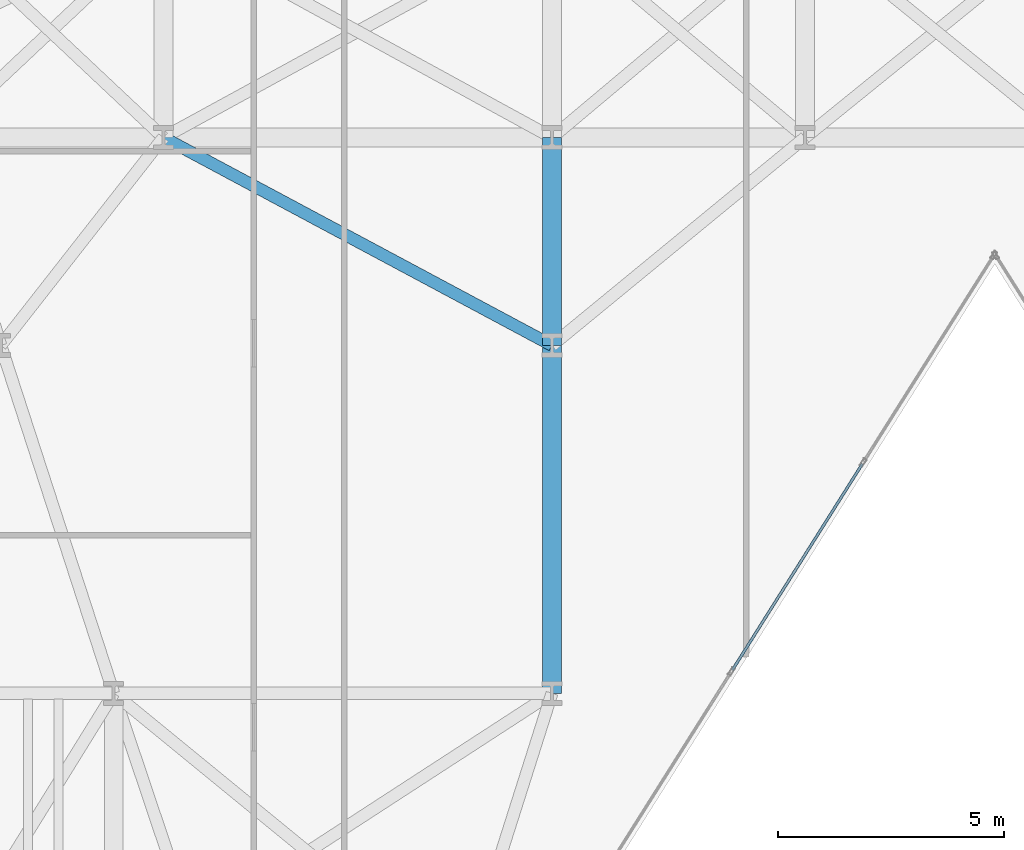
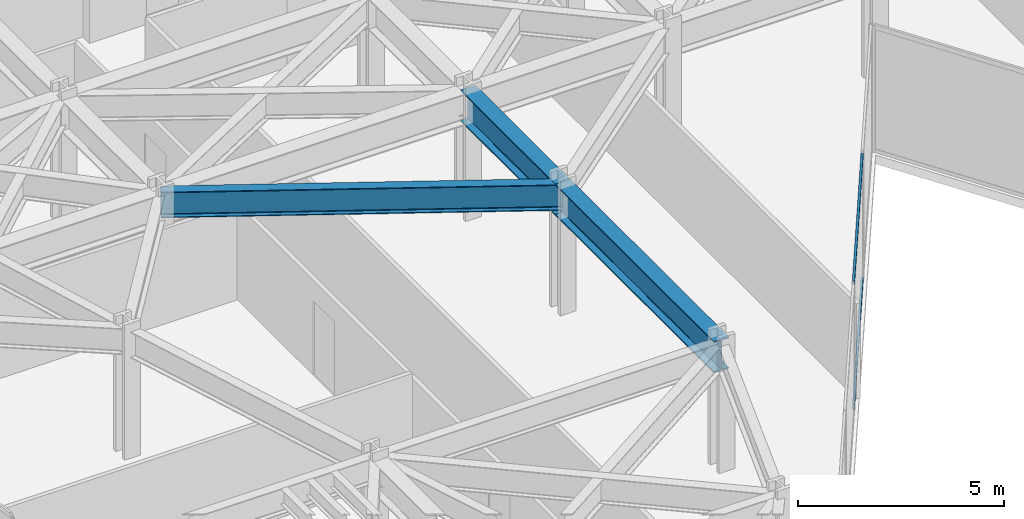
# One storey, part 9 of 25: 3 beams, 2 members, 1 element without a shape of its own.
"""IFC4 building model written with IfcOpenShell, lengths in metres."""

from ifc_helpers import new_model, si_unit, direction, frame, origin, origin_2d, place, context, subcontext, project, spatial, hollow_rectangle, i_section, extrude, material, layer, layer_set, material_profile, profile_set, type_object, element, aggregate, save


model = new_model("IFC4")

# Units and contexts
model_context = context("Model", 3, precision=1e-05, world=origin(), true_north=direction((0.0, 1.0)))
body_context = subcontext(model_context, "Body", "Model", "MODEL_VIEW")
ifc_project = project(units=[si_unit("LENGTHUNIT", "METRE"), si_unit("AREAUNIT", "SQUARE_METRE"), si_unit("VOLUMEUNIT", "CUBIC_METRE"), si_unit("PLANEANGLEUNIT", "RADIAN"), si_unit("MASSUNIT", "GRAM", prefix="KILO")], contexts=[model_context])

# Site, building, storey
site_placement = place(None, origin())
site = spatial("IfcSite", under=ifc_project, at=site_placement, CompositionType="ELEMENT")
building_placement = place(site_placement, origin())
building = spatial("IfcBuilding", under=site, at=building_placement, Name="Kravanh Interchange Tower", CompositionType="ELEMENT")
storey_placement = place(building_placement, frame((0.0, 0.0, 33.5)))
storey = spatial("IfcBuildingStorey", under=building, at=storey_placement, Name="L07", CompositionType="ELEMENT", Elevation=33.5)

# Curtain wall, members
ifc_material_1 = material(Name="Anodised Bronze Aluminium", Category="aluminium")
ifc_layer = layer(ifc_material_1, 0.179931640625)
ifc_layer_set = layer_set([ifc_layer], Name="Unitised Curtain Wall System CW-Z1 Lower Office")
curtain_wall_type = type_object("IfcCurtainWallType", Name="Unitised Curtain Wall System CW-Z1 Lower Office", PredefinedType="NOTDEFINED", material=ifc_layer_set)
curtain_wall_placement = place(storey_placement, origin())
curtain_wall = element("IfcCurtainWall", 1, at=curtain_wall_placement, inside=storey, type_object=curtain_wall_type, Name="L07 Unitised Curtain Wall CW-L07-05", PredefinedType="NOTDEFINED")
ifc_material_2 = material(Name="Anodised Bronze Aluminium", Category="aluminium")
ifc_material_profile_1 = material_profile(ifc_material_2, hollow_rectangle(XDim=0.06005859375, YDim=0.139892578125, WallThickness=0.00390625, at=origin_2d()), Name="ALU60X140X4")
ifc_profile_set_1 = profile_set([ifc_material_profile_1], Name="Anodised Bronze Aluminium")
member_type = type_object("IfcMemberType", Name="Curtain Wall Transom ALU60X140X4 Bronze", PredefinedType="USERDEFINED", material=ifc_profile_set_1)
member_1_placement = place(storey_placement, frame((34.068115234375, 19.574462890625, 0.030029296875), z_axis=(-0.533311487456, -0.84591894254, 0.0), x_axis=(0.84591894254, -0.533311487456, 0.0)))
member_1 = element("IfcMember", 2, at=member_1_placement, type_object=member_type, Name="CW-Z1 transom 2.1", ObjectType="TRANSOM", PredefinedType="USERDEFINED", context=body_context, shape_type="SweptSolid", body=[
    extrude(hollow_rectangle(XDim=0.06005859375, YDim=0.139892578125, WallThickness=0.00390625, at=origin_2d()), origin(), (0.0, 0.0, 1.0), 5.392578125),
])
member_2_placement = place(storey_placement, frame((34.068115234375, 19.574462890625, 3.7099609375), z_axis=(-0.533311487456, -0.84591894254, 0.0), x_axis=(0.84591894254, -0.533311487456, 0.0)))
member_2 = element("IfcMember", 3, at=member_2_placement, type_object=member_type, Name="CW-Z1 transom 2.2", ObjectType="TRANSOM", PredefinedType="USERDEFINED", context=body_context, shape_type="SweptSolid", body=[
    extrude(hollow_rectangle(XDim=0.06005859375, YDim=0.139892578125, WallThickness=0.00390625, at=origin_2d()), origin(), (0.0, 0.0, 1.0), 5.392578125),
])
aggregate(curtain_wall, [member_1, member_2])

# Beams
ifc_material_3 = material(Name="Structural Steel S355", Category="steel")
ifc_material_profile_2 = material_profile(ifc_material_3, i_section(OverallWidth=0.41796875, OverallDepth=0.927001953125, WebThickness=0.019287109375, FlangeThickness=0.031982421875, FilletRadius=0.028076171875, at=origin_2d()), Name="W36X231")
ifc_profile_set_2 = profile_set([ifc_material_profile_2], Name="Structural Steel S355")
beam_type_1 = type_object("IfcBeamType", Name="Floor Beam W36X231 Structural Steel S355", PredefinedType="BEAM", material=ifc_profile_set_2)
beam_1_placement = place(storey_placement, frame((27.199951171875, 22.199951171875, 3.276611328125), z_axis=(0.0, 1.0, 0.0), x_axis=(-1.0, 0.0, 0.0)))
element("IfcBeam", 4, at=beam_1_placement, inside=storey, type_object=beam_type_1, Name="L07 Primary Floor Girder 54", PredefinedType="BEAM", context=body_context, shape_type="SweptSolid", body=[
    extrude(i_section(OverallWidth=0.41796875, OverallDepth=0.927001953125, WebThickness=0.019287109375, FlangeThickness=0.031982421875, FilletRadius=0.028076171875, at=origin_2d()), origin(), (0.0, 0.0, 1.0), 4.60009765625),
])
beam_2_placement = place(storey_placement, frame((27.199951171875, 22.199951171875, 3.276611328125), z_axis=(0.0, -1.0, 0.0), x_axis=(1.0, 0.0, 0.0)))
element("IfcBeam", 5, at=beam_2_placement, inside=storey, type_object=beam_type_1, Name="L07 Primary Floor Girder 56", PredefinedType="BEAM", context=body_context, shape_type="SweptSolid", body=[
    extrude(i_section(OverallWidth=0.41796875, OverallDepth=0.927001953125, WebThickness=0.019287109375, FlangeThickness=0.031982421875, FilletRadius=0.028076171875, at=origin_2d()), origin(), (0.0, 0.0, 1.0), 7.699951171875),
])
ifc_material_4 = material(Name="Structural Steel S355", Category="steel")
ifc_material_profile_3 = material_profile(ifc_material_4, i_section(OverallWidth=0.26708984375, OverallDepth=0.761962890625, WebThickness=0.014404296875, FlangeThickness=0.021484375, FilletRadius=0.02490234375, at=origin_2d()), Name="W30X116")
ifc_profile_set_3 = profile_set([ifc_material_profile_3], Name="Structural Steel S355")
beam_type_2 = type_object("IfcBeamType", Name="Floor Spandrel W30X116 Structural Steel S355", PredefinedType="SPANDREL", material=ifc_profile_set_3)
beam_3_placement = place(storey_placement, frame((27.199951171875, 22.199951171875, 3.35888671875), z_axis=(-0.881777136221, 0.471666282489, 0.0), x_axis=(-0.471666282489, -0.881777136221, 0.0)))
element("IfcBeam", 6, at=beam_3_placement, inside=storey, type_object=beam_type_2, Name="L07 Perimeter Spandrel 57", PredefinedType="SPANDREL", context=body_context, shape_type="SweptSolid", body=[
    extrude(i_section(OverallWidth=0.26708984375, OverallDepth=0.761962890625, WebThickness=0.014404296875, FlangeThickness=0.021484375, FilletRadius=0.02490234375, at=origin_2d()), origin(), (0.0, 0.0, 1.0), 9.7529296875),
])

save(model, "model.ifc")
